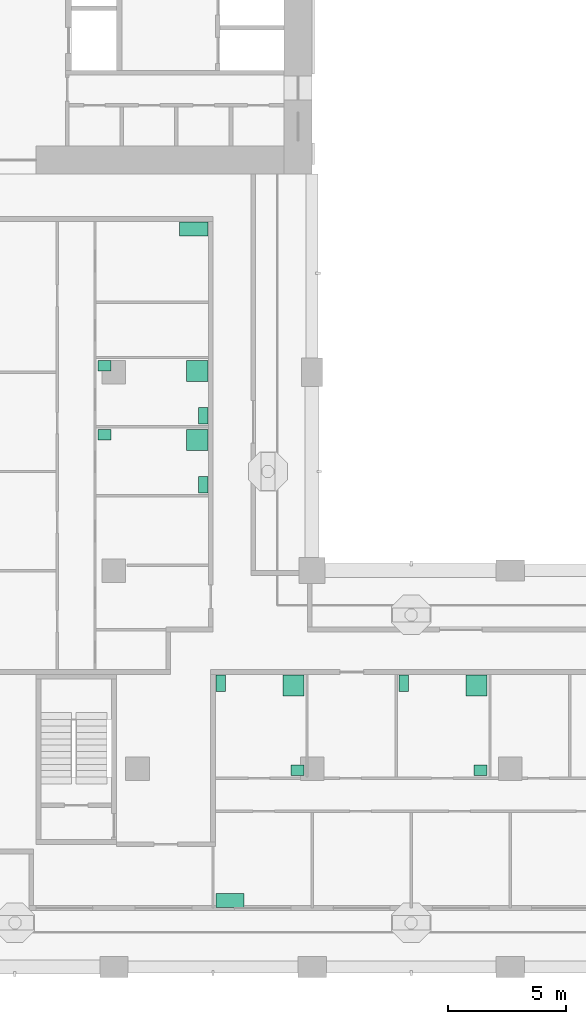
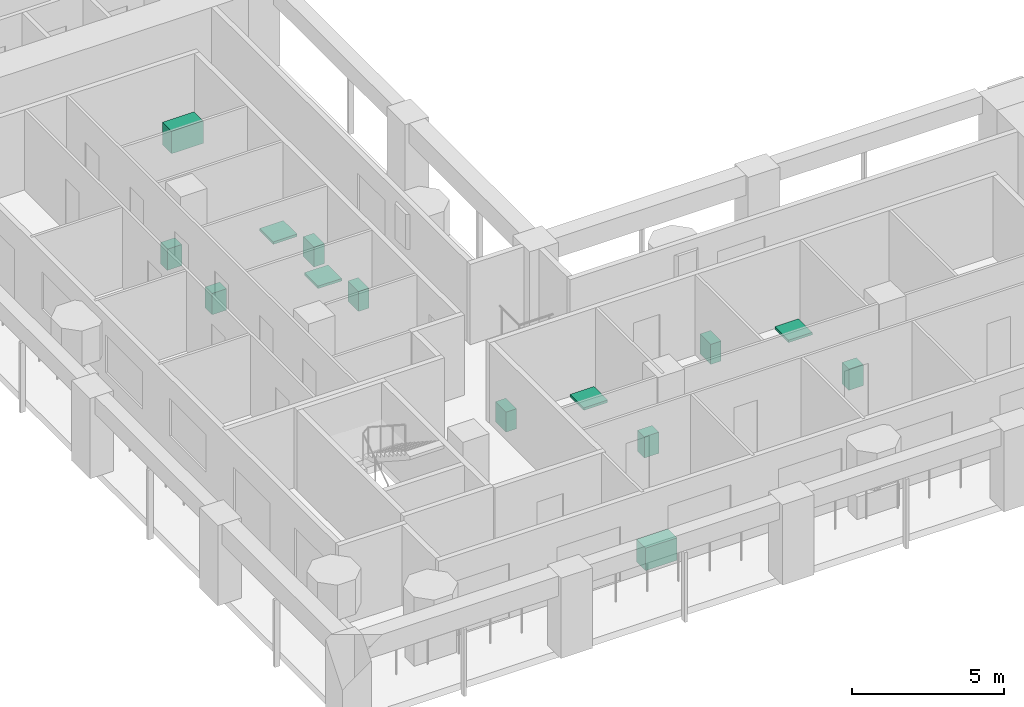
# One storey, part 11 of 13: 14 sanitary terminals.
"""IFC4 building model written with IfcOpenShell, lengths in metres."""

from ifc_helpers import new_model, si_unit, direction, frame, origin, origin_2d, place, context, subcontext, project, spatial, rectangle, extrude, material, element, save


model = new_model("IFC4")

# Units and contexts
model_context = context("Model", 3, precision=1e-05, world=origin(), true_north=direction((0.0, 1.0)))
body_context = subcontext(model_context, "Body", "Model", "MODEL_VIEW")
ifc_project = project(units=[si_unit("LENGTHUNIT", "METRE"), si_unit("AREAUNIT", "SQUARE_METRE"), si_unit("VOLUMEUNIT", "CUBIC_METRE"), si_unit("PLANEANGLEUNIT", "RADIAN"), si_unit("MASSUNIT", "GRAM", prefix="KILO")], contexts=[model_context])

# Site, building, storey
site_placement = place(None, origin())
site = spatial("IfcSite", under=ifc_project, at=site_placement, CompositionType="ELEMENT")
building_placement = place(site_placement, origin())
building = spatial("IfcBuilding", under=site, at=building_placement, Name="Vermilion Gate Residences", CompositionType="ELEMENT")
storey_placement = place(building_placement, frame((0.0, 0.0, 165.199951171875)))
storey = spatial("IfcBuildingStorey", under=building, at=storey_placement, Name="L42", CompositionType="ELEMENT", Elevation=165.199951171875)

# Sanitary terminals
ifc_material_1 = material(Name="Stainless steel", Category="steel")
sanitary_terminal_1_placement = place(storey_placement, frame((21.719970703125, 11.219970703125, 0.0), z_axis=(0.0, 0.0, 1.0), x_axis=(1.0, 0.0, 0.0)))
element("IfcSanitaryTerminal", 1, at=sanitary_terminal_1_placement, inside=storey, material=ifc_material_1, Name="Kitchen sink", PredefinedType="SINK", context=body_context, shape_type="SweptSolid", body=[
    extrude(rectangle(XDim=1.199951171875, YDim=0.60009765625, at=origin_2d()), origin(), (0.0, 0.0, 1.0), 0.89990234375),
])
ifc_material_2 = material(Name="Vitreous china")
sanitary_terminal_2_placement = place(storey_placement, frame((24.409912109375, 20.330078125, 0.0), z_axis=(0.0, 0.0, 1.0), x_axis=(1.0, 0.0, 0.0)))
element("IfcSanitaryTerminal", 2, at=sanitary_terminal_2_placement, inside=storey, material=ifc_material_2, Name="Shower tray", PredefinedType="SHOWER", context=body_context, shape_type="SweptSolid", body=[
    extrude(rectangle(XDim=0.89990234375, YDim=0.89990234375, at=origin_2d()), origin(), (0.0, 0.0, 1.0), 0.10009765625),
])
sanitary_terminal_3_placement = place(storey_placement, frame((21.320068359375, 20.429931640625, 0.0), z_axis=(0.0, 0.0, 1.0), x_axis=(1.0, 0.0, 0.0)))
element("IfcSanitaryTerminal", 3, at=sanitary_terminal_3_placement, inside=storey, material=ifc_material_2, Name="Toilet", PredefinedType="TOILETPAN", context=body_context, shape_type="SweptSolid", body=[
    extrude(rectangle(XDim=0.39990234375, YDim=0.699951171875, at=origin_2d()), origin(), (0.0, 0.0, 1.0), 0.800048828125),
])
sanitary_terminal_4_placement = place(storey_placement, frame((24.5849609375, 16.7451171875, 0.0), z_axis=(0.0, 0.0, 1.0), x_axis=(1.0, 0.0, 0.0)))
element("IfcSanitaryTerminal", 4, at=sanitary_terminal_4_placement, inside=storey, material=ifc_material_2, Name="Wash basin", PredefinedType="WASHHANDBASIN", context=body_context, shape_type="SweptSolid", body=[
    extrude(rectangle(XDim=0.550048828125, YDim=0.449951171875, at=origin_2d()), origin(), (0.0, 0.0, 1.0), 0.85009765625),
])
sanitary_terminal_5_placement = place(storey_placement, frame((32.169921875, 20.330078125, 0.0), z_axis=(0.0, 0.0, 1.0), x_axis=(1.0, 0.0, 0.0)))
element("IfcSanitaryTerminal", 5, at=sanitary_terminal_5_placement, inside=storey, material=ifc_material_2, Name="Shower tray", PredefinedType="SHOWER", context=body_context, shape_type="SweptSolid", body=[
    extrude(rectangle(XDim=0.89990234375, YDim=0.89990234375, at=origin_2d()), origin(), (0.0, 0.0, 1.0), 0.10009765625),
])
sanitary_terminal_6_placement = place(storey_placement, frame((29.080078125, 20.429931640625, 0.0), z_axis=(0.0, 0.0, 1.0), x_axis=(1.0, 0.0, 0.0)))
element("IfcSanitaryTerminal", 6, at=sanitary_terminal_6_placement, inside=storey, material=ifc_material_2, Name="Toilet", PredefinedType="TOILETPAN", context=body_context, shape_type="SweptSolid", body=[
    extrude(rectangle(XDim=0.39990234375, YDim=0.699951171875, at=origin_2d()), origin(), (0.0, 0.0, 1.0), 0.800048828125),
])
sanitary_terminal_7_placement = place(storey_placement, frame((32.344970703125, 16.7451171875, 0.0), z_axis=(0.0, 0.0, 1.0), x_axis=(1.0, 0.0, 0.0)))
element("IfcSanitaryTerminal", 7, at=sanitary_terminal_7_placement, inside=storey, material=ifc_material_2, Name="Wash basin", PredefinedType="WASHHANDBASIN", context=body_context, shape_type="SweptSolid", body=[
    extrude(rectangle(XDim=0.550048828125, YDim=0.449951171875, at=origin_2d()), origin(), (0.0, 0.0, 1.0), 0.85009765625),
])
sanitary_terminal_8_placement = place(storey_placement, frame((20.330078125, 30.72998046875, 0.0), z_axis=(0.0, 0.0, 1.0), x_axis=(1.0, 0.0, 0.0)))
element("IfcSanitaryTerminal", 8, at=sanitary_terminal_8_placement, inside=storey, material=ifc_material_2, Name="Shower tray", PredefinedType="SHOWER", context=body_context, shape_type="SweptSolid", body=[
    extrude(rectangle(XDim=0.89990234375, YDim=0.89990234375, at=origin_2d()), origin(), (0.0, 0.0, 1.0), 0.10009765625),
])
sanitary_terminal_9_placement = place(storey_placement, frame((20.580078125, 28.8369140625, 0.0), z_axis=(0.0, 0.0, 1.0), x_axis=(1.0, 0.0, 0.0)))
element("IfcSanitaryTerminal", 9, at=sanitary_terminal_9_placement, inside=storey, material=ifc_material_2, Name="Toilet", PredefinedType="TOILETPAN", context=body_context, shape_type="SweptSolid", body=[
    extrude(rectangle(XDim=0.39990234375, YDim=0.699951171875, at=origin_2d()), origin(), (0.0, 0.0, 1.0), 0.800048828125),
])
sanitary_terminal_10_placement = place(storey_placement, frame((16.39501953125, 30.955078125, 0.0), z_axis=(0.0, 0.0, 1.0), x_axis=(1.0, 0.0, 0.0)))
element("IfcSanitaryTerminal", 10, at=sanitary_terminal_10_placement, inside=storey, material=ifc_material_2, Name="Wash basin", PredefinedType="WASHHANDBASIN", context=body_context, shape_type="SweptSolid", body=[
    extrude(rectangle(XDim=0.550048828125, YDim=0.449951171875, at=origin_2d()), origin(), (0.0, 0.0, 1.0), 0.85009765625),
])
sanitary_terminal_11_placement = place(storey_placement, frame((20.330078125, 33.6630859375, 0.0), z_axis=(0.0, 0.0, 1.0), x_axis=(1.0, 0.0, 0.0)))
element("IfcSanitaryTerminal", 11, at=sanitary_terminal_11_placement, inside=storey, material=ifc_material_2, Name="Shower tray", PredefinedType="SHOWER", context=body_context, shape_type="SweptSolid", body=[
    extrude(rectangle(XDim=0.89990234375, YDim=0.89990234375, at=origin_2d()), origin(), (0.0, 0.0, 1.0), 0.10009765625),
])
sanitary_terminal_12_placement = place(storey_placement, frame((20.580078125, 31.77001953125, 0.0), z_axis=(0.0, 0.0, 1.0), x_axis=(1.0, 0.0, 0.0)))
element("IfcSanitaryTerminal", 12, at=sanitary_terminal_12_placement, inside=storey, material=ifc_material_2, Name="Toilet", PredefinedType="TOILETPAN", context=body_context, shape_type="SweptSolid", body=[
    extrude(rectangle(XDim=0.39990234375, YDim=0.699951171875, at=origin_2d()), origin(), (0.0, 0.0, 1.0), 0.800048828125),
])
sanitary_terminal_13_placement = place(storey_placement, frame((16.39501953125, 33.887939453125, 0.0), z_axis=(0.0, 0.0, 1.0), x_axis=(1.0, 0.0, 0.0)))
element("IfcSanitaryTerminal", 13, at=sanitary_terminal_13_placement, inside=storey, material=ifc_material_2, Name="Wash basin", PredefinedType="WASHHANDBASIN", context=body_context, shape_type="SweptSolid", body=[
    extrude(rectangle(XDim=0.550048828125, YDim=0.449951171875, at=origin_2d()), origin(), (0.0, 0.0, 1.0), 0.85009765625),
])
sanitary_terminal_14_placement = place(storey_placement, frame((20.179931640625, 39.679931640625, 0.0), z_axis=(0.0, 0.0, 1.0), x_axis=(1.0, 0.0, 0.0)))
element("IfcSanitaryTerminal", 14, at=sanitary_terminal_14_placement, inside=storey, material=ifc_material_1, Name="Kitchen sink", PredefinedType="SINK", context=body_context, shape_type="SweptSolid", body=[
    extrude(rectangle(XDim=1.199951171875, YDim=0.60009765625, at=origin_2d()), origin(), (0.0, 0.0, 1.0), 0.89990234375),
])

save(model, "model.ifc")
